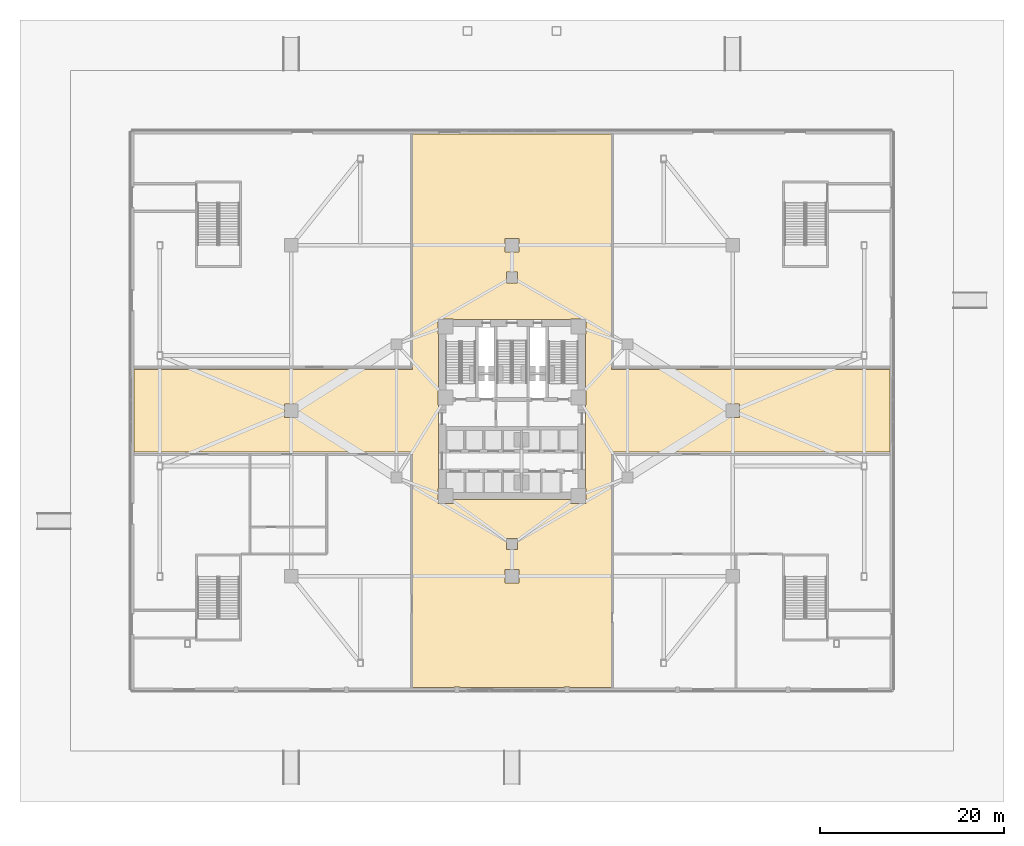
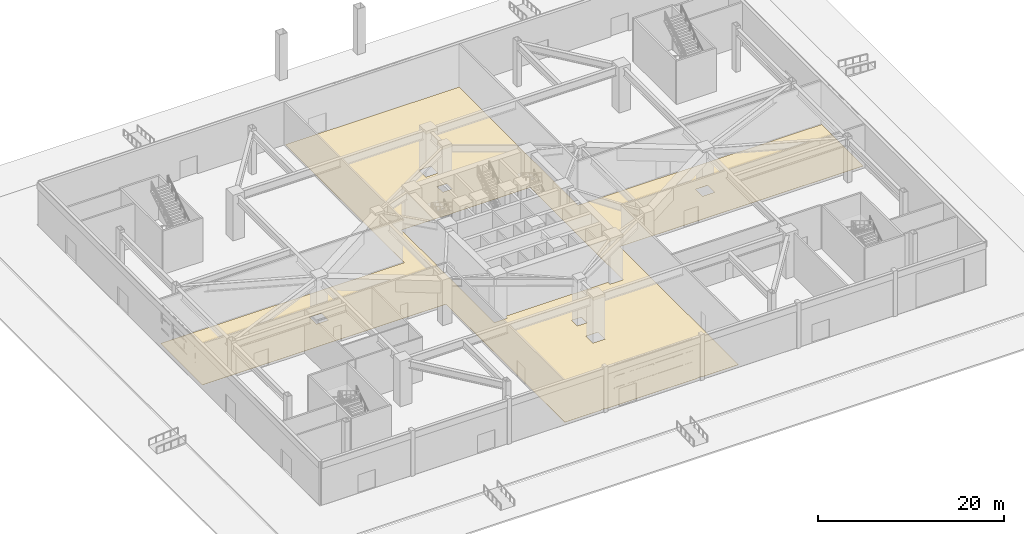
# One storey, part 19 of 24: 1 covering.
"""IFC4 building model written with IfcOpenShell, lengths in metres."""

import ifcopenshell
import ifcopenshell.guid

model = None  # the IFC model being written
_history = None  # IfcOwnerHistory: only IFC2X3 demands one
_inside = {}  # id of a spatial element -> (the spatial element, [elements in it])
_under = {}  # id of a project, library or spatial element -> (it, [spatial elements below it])
_declared = {}  # id of a project -> (the project, [libraries it declares])
_typed = {}  # id of a type object -> (the type object, [elements of that type])
_made_of = {}  # id of a material, layer set ... -> (it, [elements and type objects made of it])


def new_model(schema):
    """Start an empty IFC model of exactly this schema.

    Asked for "IFC4X3", IfcOpenShell would pick the latest addendum, in which some entities
    have other attributes; the version numbers below select the first issue.
    IFC2X3 requires an IfcOwnerHistory on every rooted entity: one is made here for all.
    """
    global model, _history
    if schema == "IFC4X3":
        model = ifcopenshell.file(schema_version=(4, 3, 0, 0))
    else:
        model = ifcopenshell.file(schema=schema)
    _inside.clear()
    _under.clear()
    _declared.clear()
    _typed.clear()
    _made_of.clear()
    _history = None
    if model.schema == "IFC2X3":
        org = make("IfcOrganization", Name="unknown")
        user = make(
            "IfcPersonAndOrganization",
            ThePerson=make("IfcPerson", FamilyName="unknown"),
            TheOrganization=org,
        )
        app = make(
            "IfcApplication",
            ApplicationDeveloper=org,
            Version="unknown",
            ApplicationFullName="unknown",
            ApplicationIdentifier="unknown",
        )
        _history = make(
            "IfcOwnerHistory",
            OwningUser=user,
            OwningApplication=app,
            ChangeAction="ADDED",
            CreationDate=0,
        )
    return model


def make(cls, **values):
    """One entity of the class cls with the attributes given. An attribute that is None is left unset."""
    return model.create_entity(
        cls, **{name: value for name, value in values.items() if value is not None}
    )


def rooted(cls, **values):
    """An entity with a GlobalId (a new one), such as an element, a storey or a relation."""
    return make(cls, GlobalId=ifcopenshell.guid.new(), OwnerHistory=_history, **values)


def si_unit(unit_type, name, prefix=None):
    """IfcSIUnit, for example si_unit("LENGTHUNIT", "METRE", prefix="MILLI")."""
    return make("IfcSIUnit", UnitType=unit_type, Prefix=prefix, Name=name)


def assignment(units):
    """IfcUnitAssignment: the units of a project."""
    return None if units is None else make("IfcUnitAssignment", Units=units)


def point(xyz):
    """IfcCartesianPoint."""
    return None if xyz is None else make("IfcCartesianPoint", Coordinates=xyz)


def direction(xyz):
    """IfcDirection."""
    return None if xyz is None else make("IfcDirection", DirectionRatios=xyz)


def frame(location, z_axis=None, x_axis=None):
    """IfcAxis2Placement3D, a coordinate frame: its origin and axes. An axis left out is left unset."""
    return make(
        "IfcAxis2Placement3D",
        Location=point(location),
        Axis=direction(z_axis),
        RefDirection=direction(x_axis),
    )


def origin():
    """The frame at (0, 0, 0) with its axes left unset."""
    return frame((0.0, 0.0, 0.0))


def place(relative_to, where):
    """IfcLocalPlacement: puts the frame where relative to a parent placement (None: the world)."""
    return make(
        "IfcLocalPlacement", PlacementRelTo=relative_to, RelativePlacement=where
    )


def context(
    kind, dimensions, precision=None, world=None, true_north=None, identifier=None
):
    """IfcGeometricRepresentationContext, for example the 3D "Model" context."""
    return make(
        "IfcGeometricRepresentationContext",
        ContextIdentifier=identifier,
        ContextType=kind,
        CoordinateSpaceDimension=dimensions,
        Precision=precision,
        WorldCoordinateSystem=world,
        TrueNorth=true_north,
    )


def subcontext(parent, identifier, kind, view, scale=None):
    """IfcGeometricRepresentationSubContext, for example "Body" below "Model"."""
    return make(
        "IfcGeometricRepresentationSubContext",
        ContextIdentifier=identifier,
        ContextType=kind,
        ParentContext=parent,
        TargetScale=scale,
        TargetView=view,
    )


def project(units=None, contexts=None):
    """IfcProject with its units and contexts."""
    return rooted(
        "IfcProject",
        Name="project",
        RepresentationContexts=contexts,
        UnitsInContext=assignment(units),
    )


def spatial(cls, under=None, at=None, **own):
    """A site, building, storey or space (cls), placed at a placement, below another one or the project."""
    s = rooted(cls, ObjectPlacement=at, **own)
    if under is not None:
        _under.setdefault(under.id(), (under, []))[1].append(s)
    return s


def polyline(points):
    """IfcPolyline through the points."""
    return make("IfcPolyline", Points=[point(p) for p in points])


def outline(outer, holes=None, kind="AREA"):
    """IfcArbitraryClosedProfileDef: a profile drawn as a closed curve; with holes, ...WithVoids."""
    if holes is None:
        return make("IfcArbitraryClosedProfileDef", ProfileType=kind, OuterCurve=outer)
    return make(
        "IfcArbitraryProfileDefWithVoids",
        ProfileType=kind,
        OuterCurve=outer,
        InnerCurves=holes,
    )


def extrude(swept, where, along, depth):
    """IfcExtrudedAreaSolid: the profile swept, set in the frame where, extruded along a direction by depth."""
    return make(
        "IfcExtrudedAreaSolid",
        SweptArea=swept,
        Position=where,
        ExtrudedDirection=direction(along),
        Depth=depth,
    )


def shape(context_of_items, identifier, shape_type, items):
    """IfcShapeRepresentation: the items that make up one representation, for example the "Body"."""
    return make(
        "IfcShapeRepresentation",
        ContextOfItems=context_of_items,
        RepresentationIdentifier=identifier,
        RepresentationType=shape_type,
        Items=items,
    )


def material(Name=None, Category=None):
    """IfcMaterial."""
    return make("IfcMaterial", Name=Name, Category=Category)


def layer(
    of_material, thickness, ventilated=None, Name=None, Category=None, Priority=None
):
    """IfcMaterialLayer: one layer of a wall or slab, of a material (None: an air gap)."""
    return make(
        "IfcMaterialLayer",
        Material=of_material,
        LayerThickness=thickness,
        IsVentilated=ventilated,
        Name=Name,
        Category=Category,
        Priority=Priority,
    )


def layer_set(layers, Name=None):
    """IfcMaterialLayerSet."""
    return make("IfcMaterialLayerSet", MaterialLayers=layers, LayerSetName=Name)


def made_of(thing, what):
    """Note that an element or type object is made of a material, layer set ...; save() writes the relation."""
    if what is not None:
        _made_of.setdefault(what.id(), (what, []))[1].append(thing)
    return thing


def type_object(cls, material=None, **own):
    """A type object (cls), such as IfcWallType, which elements share."""
    return made_of(rooted(cls, **own), material)


def element(
    cls,
    number,
    at=None,
    inside=None,
    cuts=None,
    type_object=None,
    material=None,
    context=None,
    identifier="Body",
    shape_type=None,
    held_by="IfcProductDefinitionShape",
    body=None,
    shapes=None,
    **own,
):
    """One element of the class cls, such as IfcWall. Its Tag is "e" and its number.

    at: its placement. inside: the storey or other place that contains it. cuts: it is an
    opening in that element (IfcRelVoidsElement). A single representation is given by context,
    identifier, shape_type and body (its items); several are given by shapes. held_by: the class
    of the entity that holds the representations. save() writes the other relations.
    """
    e = rooted(cls, Tag="e%d" % number, ObjectPlacement=at, **own)
    if body is not None:
        shapes = [shape(context, identifier, shape_type, body)]
    if shapes is not None:
        e.Representation = make(held_by, Representations=shapes)
    if inside is not None:
        _inside.setdefault(inside.id(), (inside, []))[1].append(e)
    if cuts is not None:
        rooted(
            "IfcRelVoidsElement", RelatingBuildingElement=cuts, RelatedOpeningElement=e
        )
    if type_object is not None:
        _typed.setdefault(type_object.id(), (type_object, []))[1].append(e)
    return made_of(e, material)


def aggregate(whole, parts):
    """IfcRelAggregates: a whole, such as a stair, and the parts it consists of."""
    return rooted("IfcRelAggregates", RelatingObject=whole, RelatedObjects=parts)


def save(model, path):
    """Write the relations noted so far, then the file.

    IfcRelAggregates (storeys below a building ...), IfcRelContainedInSpatialStructure (elements
    in a storey), IfcRelDefinesByType, IfcRelAssociatesMaterial and IfcRelDeclares: one each for
    every whole, place, type object, material and project.
    """
    for whole, parts in _under.values():
        aggregate(whole, parts)
    for where, things in _inside.values():
        rooted(
            "IfcRelContainedInSpatialStructure",
            RelatedElements=things,
            RelatingStructure=where,
        )
    for kind, things in _typed.values():
        rooted("IfcRelDefinesByType", RelatedObjects=things, RelatingType=kind)
    for what, things in _made_of.values():
        rooted("IfcRelAssociatesMaterial", RelatedObjects=things, RelatingMaterial=what)
    for by, libraries in _declared.values():
        rooted("IfcRelDeclares", RelatingContext=by, RelatedDefinitions=libraries)
    model.write(path)


model = new_model("IFC4")

# Units and contexts
model_context = context("Model", 3, precision=1e-05, world=origin(), true_north=direction((0.0, 1.0)))
body_context = subcontext(model_context, "Body", "Model", "MODEL_VIEW")
ifc_project = project(units=[si_unit("LENGTHUNIT", "METRE"), si_unit("AREAUNIT", "SQUARE_METRE"), si_unit("VOLUMEUNIT", "CUBIC_METRE"), si_unit("PLANEANGLEUNIT", "RADIAN"), si_unit("MASSUNIT", "GRAM", prefix="KILO")], contexts=[model_context])

# Site, building, storey
site_placement = place(None, origin())
site = spatial("IfcSite", under=ifc_project, at=site_placement, CompositionType="ELEMENT")
building_placement = place(site_placement, origin())
building = spatial("IfcBuilding", under=site, at=building_placement, Name="Apsidion Concourse Tower", CompositionType="ELEMENT")
storey_placement = place(building_placement, origin())
storey = spatial("IfcBuildingStorey", under=building, at=storey_placement, Name="L00", CompositionType="ELEMENT", Elevation=0.0)

# Covering
ifc_material = material(Name="Honed travertine floor finish", Category="masonry")
ifc_layer = layer(ifc_material, 0.02001953125)
ifc_layer_set = layer_set([ifc_layer], Name="Honed travertine floor finish")
covering_type = type_object("IfcCoveringType", Name="COV-FLOR-20", PredefinedType="FLOORING", material=ifc_layer_set)
covering_placement = place(storey_placement, origin())
element("IfcCovering", 1, at=covering_placement, inside=storey, type_object=covering_type, Name="L00 Honed Travertine Floor Finish 2", PredefinedType="FLOORING", context=body_context, shape_type="SweptSolid", body=[
    extrude(outline(polyline([(-10.800048828125, 4.5), (-10.800048828125, 30.10498046875), (10.800048828125, 30.10498046875), (10.800048828125, 4.5), (41.10498046875, 4.5), (41.10498046875, -4.5), (10.800048828125, -4.5), (10.800048828125, -30.10498046875), (6.320068359375, -30.10498046875), (6.320068359375, -30.050048828125), (6.31982421875, -30.048095703125), (6.319580078125, -30.046142578125), (6.319091796875, -30.044189453125), (6.318603515625, -30.042236328125), (6.317626953125, -30.04052734375), (6.316650390625, -30.038818359375), (6.3154296875, -30.037353515625), (6.314208984375, -30.035888671875), (6.312744140625, -30.034423828125), (6.31103515625, -30.033447265625), (6.309326171875, -30.032470703125), (6.3076171875, -30.031494140625), (6.305908203125, -30.031005859375), (6.303955078125, -30.030517578125), (6.302001953125, -30.030029296875), (6.300048828125, -30.030029296875), (5.699951171875, -30.030029296875), (5.697998046875, -30.030029296875), (5.696044921875, -30.030517578125), (5.694091796875, -30.031005859375), (5.6923828125, -30.031494140625), (5.690673828125, -30.032470703125), (5.68896484375, -30.033447265625), (5.687255859375, -30.034423828125), (5.685791015625, -30.035888671875), (5.6845703125, -30.037353515625), (5.683349609375, -30.038818359375), (5.682373046875, -30.04052734375), (5.681396484375, -30.042236328125), (5.680908203125, -30.044189453125), (5.680419921875, -30.046142578125), (5.68017578125, -30.048095703125), (5.679931640625, -30.050048828125), (5.679931640625, -30.10498046875), (-5.679931640625, -30.10498046875), (-5.679931640625, -30.050048828125), (-5.68017578125, -30.048095703125), (-5.680419921875, -30.046142578125), (-5.680908203125, -30.044189453125), (-5.681396484375, -30.042236328125), (-5.682373046875, -30.04052734375), (-5.683349609375, -30.038818359375), (-5.6845703125, -30.037353515625), (-5.685791015625, -30.035888671875), (-5.687255859375, -30.034423828125), (-5.68896484375, -30.033447265625), (-5.690673828125, -30.032470703125), (-5.6923828125, -30.031494140625), (-5.694091796875, -30.031005859375), (-5.696044921875, -30.030517578125), (-5.697998046875, -30.030029296875), (-5.699951171875, -30.030029296875), (-6.300048828125, -30.030029296875), (-6.302001953125, -30.030029296875), (-6.303955078125, -30.030517578125), (-6.305908203125, -30.031005859375), (-6.3076171875, -30.031494140625), (-6.309326171875, -30.032470703125), (-6.31103515625, -30.033447265625), (-6.312744140625, -30.034423828125), (-6.314208984375, -30.035888671875), (-6.3154296875, -30.037353515625), (-6.316650390625, -30.038818359375), (-6.317626953125, -30.04052734375), (-6.318603515625, -30.042236328125), (-6.319091796875, -30.044189453125), (-6.319580078125, -30.046142578125), (-6.31982421875, -30.048095703125), (-6.320068359375, -30.050048828125), (-6.320068359375, -30.10498046875), (-10.800048828125, -30.10498046875), (-10.800048828125, -4.5), (-41.10498046875, -4.5), (-41.10498046875, 4.5), (-10.800048828125, 4.5)]), holes=[polyline([(-8.0, -8.429931640625), (-8.001953125, -8.43017578125), (-8.00390625, -8.430419921875), (-8.005859375, -8.430908203125), (-8.0078125, -8.431396484375), (-8.009521484375, -8.432373046875), (-8.010986328125, -8.433349609375), (-8.0126953125, -8.4345703125), (-8.01416015625, -8.435791015625), (-8.015380859375, -8.437255859375), (-8.0166015625, -8.43896484375), (-8.017578125, -8.440673828125), (-8.0185546875, -8.4423828125), (-8.01904296875, -8.444091796875), (-8.01953125, -8.446044921875), (-8.02001953125, -8.447998046875), (-8.02001953125, -8.449951171875), (-8.02001953125, -10.050048828125), (-8.02001953125, -10.052001953125), (-8.01953125, -10.053955078125), (-8.01904296875, -10.055908203125), (-8.0185546875, -10.0576171875), (-8.017578125, -10.059326171875), (-8.0166015625, -10.06103515625), (-8.015380859375, -10.062744140625), (-8.01416015625, -10.064208984375), (-8.0126953125, -10.0654296875), (-8.010986328125, -10.066650390625), (-8.009521484375, -10.067626953125), (-8.0078125, -10.068603515625), (-8.005859375, -10.069091796875), (-8.00390625, -10.069580078125), (-8.001953125, -10.06982421875), (-8.0, -10.070068359375), (-6.39990234375, -10.070068359375), (-6.39794921875, -10.06982421875), (-6.39599609375, -10.069580078125), (-6.394287109375, -10.069091796875), (-6.392333984375, -10.068603515625), (-6.390625, -10.067626953125), (-6.388916015625, -10.066650390625), (-6.38720703125, -10.0654296875), (-6.385986328125, -10.064208984375), (-6.384521484375, -10.062744140625), (-6.38330078125, -10.06103515625), (-6.38232421875, -10.059326171875), (-6.381591796875, -10.0576171875), (-6.380859375, -10.055908203125), (-6.38037109375, -10.053955078125), (-6.380126953125, -10.052001953125), (-6.3798828125, -10.050048828125), (-6.3798828125, -9.64990234375), (6.3798828125, -9.64990234375), (6.3798828125, -10.050048828125), (6.380126953125, -10.052001953125), (6.38037109375, -10.053955078125), (6.380859375, -10.055908203125), (6.381591796875, -10.0576171875), (6.38232421875, -10.059326171875), (6.38330078125, -10.06103515625), (6.384521484375, -10.062744140625), (6.385986328125, -10.064208984375), (6.38720703125, -10.0654296875), (6.388916015625, -10.066650390625), (6.390625, -10.067626953125), (6.392333984375, -10.068603515625), (6.394287109375, -10.069091796875), (6.39599609375, -10.069580078125), (6.39794921875, -10.06982421875), (6.39990234375, -10.070068359375), (8.0, -10.070068359375), (8.001953125, -10.06982421875), (8.00390625, -10.069580078125), (8.005859375, -10.069091796875), (8.0078125, -10.068603515625), (8.009521484375, -10.067626953125), (8.010986328125, -10.066650390625), (8.0126953125, -10.0654296875), (8.01416015625, -10.064208984375), (8.015380859375, -10.062744140625), (8.0166015625, -10.06103515625), (8.017578125, -10.059326171875), (8.0185546875, -10.0576171875), (8.01904296875, -10.055908203125), (8.01953125, -10.053955078125), (8.02001953125, -10.052001953125), (8.02001953125, -10.050048828125), (8.02001953125, -8.449951171875), (8.02001953125, -8.447998046875), (8.01953125, -8.446044921875), (8.01904296875, -8.444091796875), (8.0185546875, -8.4423828125), (8.017578125, -8.440673828125), (8.0166015625, -8.43896484375), (8.015380859375, -8.437255859375), (8.01416015625, -8.435791015625), (8.0126953125, -8.4345703125), (8.010986328125, -8.433349609375), (8.009521484375, -8.432373046875), (8.0078125, -8.431396484375), (8.005859375, -8.430908203125), (8.00390625, -8.430419921875), (8.001953125, -8.43017578125), (8.0, -8.429931640625), (8.0, -4.5), (8.0, 0.6298828125), (8.001953125, 0.630126953125), (8.00390625, 0.63037109375), (8.005859375, 0.630859375), (8.0078125, 0.631591796875), (8.009521484375, 0.63232421875), (8.010986328125, 0.63330078125), (8.0126953125, 0.634521484375), (8.01416015625, 0.635986328125), (8.015380859375, 0.63720703125), (8.0166015625, 0.638916015625), (8.017578125, 0.640625), (8.0185546875, 0.642333984375), (8.01904296875, 0.644287109375), (8.01953125, 0.64599609375), (8.02001953125, 0.64794921875), (8.02001953125, 0.64990234375), (8.02001953125, 2.25), (8.02001953125, 2.251953125), (8.01953125, 2.25390625), (8.01904296875, 2.255859375), (8.0185546875, 2.2578125), (8.017578125, 2.259521484375), (8.0166015625, 2.260986328125), (8.015380859375, 2.2626953125), (8.01416015625, 2.26416015625), (8.0126953125, 2.265380859375), (8.010986328125, 2.2666015625), (8.009521484375, 2.267578125), (8.0078125, 2.2685546875), (8.005859375, 2.26904296875), (8.00390625, 2.26953125), (8.001953125, 2.27001953125), (8.0, 2.27001953125), (8.0, 4.5), (8.0, 8.330078125), (8.001953125, 8.330078125), (8.00390625, 8.330322265625), (8.005859375, 8.330810546875), (8.0078125, 8.33154296875), (8.009521484375, 8.33251953125), (8.010986328125, 8.33349609375), (8.0126953125, 8.33447265625), (8.01416015625, 8.3359375), (8.015380859375, 8.33740234375), (8.0166015625, 8.3388671875), (8.017578125, 8.340576171875), (8.0185546875, 8.34228515625), (8.01904296875, 8.34423828125), (8.01953125, 8.34619140625), (8.02001953125, 8.347900390625), (8.02001953125, 8.35009765625), (8.02001953125, 9.949951171875), (8.02001953125, 9.951904296875), (8.01953125, 9.953857421875), (8.01904296875, 9.955810546875), (8.0185546875, 9.957763671875), (8.017578125, 9.95947265625), (8.0166015625, 9.961181640625), (8.015380859375, 9.962646484375), (8.01416015625, 9.964111328125), (8.0126953125, 9.965576171875), (8.010986328125, 9.966552734375), (8.009521484375, 9.967529296875), (8.0078125, 9.968505859375), (8.005859375, 9.968994140625), (8.00390625, 9.969482421875), (8.001953125, 9.969970703125), (8.0, 9.969970703125), (6.39990234375, 9.969970703125), (6.39794921875, 9.969970703125), (6.39599609375, 9.969482421875), (6.394287109375, 9.968994140625), (6.392333984375, 9.968505859375), (6.390625, 9.967529296875), (6.388916015625, 9.966552734375), (6.38720703125, 9.965576171875), (6.385986328125, 9.964111328125), (6.384521484375, 9.962646484375), (6.38330078125, 9.961181640625), (6.38232421875, 9.95947265625), (6.381591796875, 9.957763671875), (6.380859375, 9.955810546875), (6.38037109375, 9.953857421875), (6.380126953125, 9.951904296875), (6.3798828125, 9.949951171875), (6.3798828125, 9.949951171875), (-6.3798828125, 9.949951171875), (-6.3798828125, 9.949951171875), (-6.380126953125, 9.951904296875), (-6.38037109375, 9.953857421875), (-6.380859375, 9.955810546875), (-6.381591796875, 9.957763671875), (-6.38232421875, 9.95947265625), (-6.38330078125, 9.961181640625), (-6.384521484375, 9.962646484375), (-6.385986328125, 9.964111328125), (-6.38720703125, 9.965576171875), (-6.388916015625, 9.966552734375), (-6.390625, 9.967529296875), (-6.392333984375, 9.968505859375), (-6.394287109375, 9.968994140625), (-6.39599609375, 9.969482421875), (-6.39794921875, 9.969970703125), (-6.39990234375, 9.969970703125), (-8.0, 9.969970703125), (-8.001953125, 9.969970703125), (-8.00390625, 9.969482421875), (-8.005859375, 9.968994140625), (-8.0078125, 9.968505859375), (-8.009521484375, 9.967529296875), (-8.010986328125, 9.966552734375), (-8.0126953125, 9.965576171875), (-8.01416015625, 9.964111328125), (-8.015380859375, 9.962646484375), (-8.0166015625, 9.961181640625), (-8.017578125, 9.95947265625), (-8.0185546875, 9.957763671875), (-8.01904296875, 9.955810546875), (-8.01953125, 9.953857421875), (-8.02001953125, 9.951904296875), (-8.02001953125, 9.949951171875), (-8.02001953125, 8.35009765625), (-8.02001953125, 8.347900390625), (-8.01953125, 8.34619140625), (-8.01904296875, 8.34423828125), (-8.0185546875, 8.34228515625), (-8.017578125, 8.340576171875), (-8.0166015625, 8.3388671875), (-8.015380859375, 8.33740234375), (-8.01416015625, 8.3359375), (-8.0126953125, 8.33447265625), (-8.010986328125, 8.33349609375), (-8.009521484375, 8.33251953125), (-8.0078125, 8.33154296875), (-8.005859375, 8.330810546875), (-8.00390625, 8.330322265625), (-8.001953125, 8.330078125), (-8.0, 8.330078125), (-8.0, 4.5), (-8.0, 2.27001953125), (-8.001953125, 2.27001953125), (-8.00390625, 2.26953125), (-8.005859375, 2.26904296875), (-8.0078125, 2.2685546875), (-8.009521484375, 2.267578125), (-8.010986328125, 2.2666015625), (-8.0126953125, 2.265380859375), (-8.01416015625, 2.26416015625), (-8.015380859375, 2.2626953125), (-8.0166015625, 2.260986328125), (-8.017578125, 2.259521484375), (-8.0185546875, 2.2578125), (-8.01904296875, 2.255859375), (-8.01953125, 2.25390625), (-8.02001953125, 2.251953125), (-8.02001953125, 2.25), (-8.02001953125, 0.64990234375), (-8.02001953125, 0.64794921875), (-8.01953125, 0.64599609375), (-8.01904296875, 0.644287109375), (-8.0185546875, 0.642333984375), (-8.017578125, 0.640625), (-8.0166015625, 0.638916015625), (-8.015380859375, 0.63720703125), (-8.01416015625, 0.635986328125), (-8.0126953125, 0.634521484375), (-8.010986328125, 0.63330078125), (-8.009521484375, 0.63232421875), (-8.0078125, 0.631591796875), (-8.005859375, 0.630859375), (-8.00390625, 0.63037109375), (-8.001953125, 0.630126953125), (-8.0, 0.6298828125), (-8.0, -4.5), (-8.0, -8.429931640625)]), polyline([(-24.730712890625, -0.744140625), (-24.72900390625, -0.74462890625), (-24.72705078125, -0.744873046875), (-24.72509765625, -0.7451171875), (-23.27490234375, -0.7451171875), (-23.27294921875, -0.744873046875), (-23.27099609375, -0.74462890625), (-23.269287109375, -0.744140625), (-23.267333984375, -0.743408203125), (-23.265625, -0.74267578125), (-23.263916015625, -0.74169921875), (-23.26220703125, -0.740478515625), (-23.260986328125, -0.739013671875), (-23.259521484375, -0.73779296875), (-23.25830078125, -0.736083984375), (-23.25732421875, -0.734375), (-23.256591796875, -0.732666015625), (-23.255859375, -0.730712890625), (-23.25537109375, -0.72900390625), (-23.255126953125, -0.72705078125), (-23.2548828125, -0.72509765625), (-23.2548828125, 0.72509765625), (-23.255126953125, 0.72705078125), (-23.25537109375, 0.72900390625), (-23.255859375, 0.730712890625), (-23.256591796875, 0.732666015625), (-23.25732421875, 0.734375), (-23.25830078125, 0.736083984375), (-23.259521484375, 0.73779296875), (-23.260986328125, 0.739013671875), (-23.26220703125, 0.740478515625), (-23.263916015625, 0.74169921875), (-23.265625, 0.74267578125), (-23.267333984375, 0.743408203125), (-23.269287109375, 0.744140625), (-23.27099609375, 0.74462890625), (-23.27294921875, 0.744873046875), (-23.27490234375, 0.7451171875), (-24.72509765625, 0.7451171875), (-24.72705078125, 0.744873046875), (-24.72900390625, 0.74462890625), (-24.730712890625, 0.744140625), (-24.732666015625, 0.743408203125), (-24.734375, 0.74267578125), (-24.736083984375, 0.74169921875), (-24.73779296875, 0.740478515625), (-24.739013671875, 0.739013671875), (-24.740478515625, 0.73779296875), (-24.74169921875, 0.736083984375), (-24.74267578125, 0.734375), (-24.743408203125, 0.732666015625), (-24.744140625, 0.730712890625), (-24.74462890625, 0.72900390625), (-24.744873046875, 0.72705078125), (-24.7451171875, 0.72509765625), (-24.7451171875, -0.72509765625), (-24.744873046875, -0.72705078125), (-24.74462890625, -0.72900390625), (-24.744140625, -0.730712890625), (-24.743408203125, -0.732666015625), (-24.74267578125, -0.734375), (-24.74169921875, -0.736083984375), (-24.740478515625, -0.73779296875), (-24.739013671875, -0.739013671875), (-24.73779296875, -0.740478515625), (-24.736083984375, -0.74169921875), (-24.734375, -0.74267578125), (-24.732666015625, -0.743408203125), (-24.730712890625, -0.744140625)]), polyline([(-0.730712890625, -18.744140625), (-0.72900390625, -18.74462890625), (-0.72705078125, -18.744873046875), (-0.72509765625, -18.7451171875), (0.72509765625, -18.7451171875), (0.72705078125, -18.744873046875), (0.72900390625, -18.74462890625), (0.730712890625, -18.744140625), (0.732666015625, -18.743408203125), (0.734375, -18.74267578125), (0.736083984375, -18.74169921875), (0.73779296875, -18.740478515625), (0.739013671875, -18.739013671875), (0.740478515625, -18.73779296875), (0.74169921875, -18.736083984375), (0.74267578125, -18.734375), (0.743408203125, -18.732666015625), (0.744140625, -18.730712890625), (0.74462890625, -18.72900390625), (0.744873046875, -18.72705078125), (0.7451171875, -18.72509765625), (0.7451171875, -17.27490234375), (0.744873046875, -17.27294921875), (0.74462890625, -17.27099609375), (0.744140625, -17.269287109375), (0.743408203125, -17.267333984375), (0.74267578125, -17.265625), (0.74169921875, -17.263916015625), (0.740478515625, -17.26220703125), (0.739013671875, -17.260986328125), (0.73779296875, -17.259521484375), (0.736083984375, -17.25830078125), (0.734375, -17.25732421875), (0.732666015625, -17.256591796875), (0.730712890625, -17.255859375), (0.72900390625, -17.25537109375), (0.72705078125, -17.255126953125), (0.72509765625, -17.2548828125), (-0.72509765625, -17.2548828125), (-0.72705078125, -17.255126953125), (-0.72900390625, -17.25537109375), (-0.730712890625, -17.255859375), (-0.732666015625, -17.256591796875), (-0.734375, -17.25732421875), (-0.736083984375, -17.25830078125), (-0.73779296875, -17.259521484375), (-0.739013671875, -17.260986328125), (-0.740478515625, -17.26220703125), (-0.74169921875, -17.263916015625), (-0.74267578125, -17.265625), (-0.743408203125, -17.267333984375), (-0.744140625, -17.269287109375), (-0.74462890625, -17.27099609375), (-0.744873046875, -17.27294921875), (-0.7451171875, -17.27490234375), (-0.7451171875, -18.72509765625), (-0.744873046875, -18.72705078125), (-0.74462890625, -18.72900390625), (-0.744140625, -18.730712890625), (-0.743408203125, -18.732666015625), (-0.74267578125, -18.734375), (-0.74169921875, -18.736083984375), (-0.740478515625, -18.73779296875), (-0.739013671875, -18.739013671875), (-0.73779296875, -18.740478515625), (-0.736083984375, -18.74169921875), (-0.734375, -18.74267578125), (-0.732666015625, -18.743408203125), (-0.730712890625, -18.744140625)]), polyline([(-0.582763671875, -15.093505859375), (-0.580810546875, -15.093994140625), (-0.578857421875, -15.094482421875), (-0.576904296875, -15.094970703125), (-0.574951171875, -15.094970703125), (0.574951171875, -15.094970703125), (0.576904296875, -15.094970703125), (0.578857421875, -15.094482421875), (0.580810546875, -15.093994140625), (0.582763671875, -15.093505859375), (0.58447265625, -15.092529296875), (0.586181640625, -15.091552734375), (0.587646484375, -15.090576171875), (0.589111328125, -15.089111328125), (0.590576171875, -15.087646484375), (0.591552734375, -15.086181640625), (0.592529296875, -15.08447265625), (0.593505859375, -15.082763671875), (0.593994140625, -15.080810546875), (0.594482421875, -15.078857421875), (0.594970703125, -15.076904296875), (0.594970703125, -15.074951171875), (0.594970703125, -13.925048828125), (0.594970703125, -13.923095703125), (0.594482421875, -13.921142578125), (0.593994140625, -13.919189453125), (0.593505859375, -13.917236328125), (0.592529296875, -13.91552734375), (0.591552734375, -13.913818359375), (0.590576171875, -13.912353515625), (0.589111328125, -13.910888671875), (0.587646484375, -13.909423828125), (0.586181640625, -13.908447265625), (0.58447265625, -13.907470703125), (0.582763671875, -13.906494140625), (0.580810546875, -13.906005859375), (0.578857421875, -13.905517578125), (0.576904296875, -13.905029296875), (0.574951171875, -13.905029296875), (-0.574951171875, -13.905029296875), (-0.576904296875, -13.905029296875), (-0.578857421875, -13.905517578125), (-0.580810546875, -13.906005859375), (-0.582763671875, -13.906494140625), (-0.58447265625, -13.907470703125), (-0.586181640625, -13.908447265625), (-0.587646484375, -13.909423828125), (-0.589111328125, -13.910888671875), (-0.590576171875, -13.912353515625), (-0.591552734375, -13.913818359375), (-0.592529296875, -13.91552734375), (-0.593505859375, -13.917236328125), (-0.593994140625, -13.919189453125), (-0.594482421875, -13.921142578125), (-0.594970703125, -13.923095703125), (-0.594970703125, -13.925048828125), (-0.594970703125, -15.074951171875), (-0.594970703125, -15.076904296875), (-0.594482421875, -15.078857421875), (-0.593994140625, -15.080810546875), (-0.593505859375, -15.082763671875), (-0.592529296875, -15.08447265625), (-0.591552734375, -15.086181640625), (-0.590576171875, -15.087646484375), (-0.589111328125, -15.089111328125), (-0.587646484375, -15.090576171875), (-0.586181640625, -15.091552734375), (-0.58447265625, -15.092529296875), (-0.582763671875, -15.093505859375)]), polyline([(-0.582763671875, 13.906494140625), (-0.580810546875, 13.906005859375), (-0.578857421875, 13.905517578125), (-0.576904296875, 13.905029296875), (-0.574951171875, 13.905029296875), (0.574951171875, 13.905029296875), (0.576904296875, 13.905029296875), (0.578857421875, 13.905517578125), (0.580810546875, 13.906005859375), (0.582763671875, 13.906494140625), (0.58447265625, 13.907470703125), (0.586181640625, 13.908447265625), (0.587646484375, 13.909423828125), (0.589111328125, 13.910888671875), (0.590576171875, 13.912353515625), (0.591552734375, 13.913818359375), (0.592529296875, 13.91552734375), (0.593505859375, 13.917236328125), (0.593994140625, 13.919189453125), (0.594482421875, 13.921142578125), (0.594970703125, 13.923095703125), (0.594970703125, 13.925048828125), (0.594970703125, 15.074951171875), (0.594970703125, 15.076904296875), (0.594482421875, 15.078857421875), (0.593994140625, 15.080810546875), (0.593505859375, 15.082763671875), (0.592529296875, 15.08447265625), (0.591552734375, 15.086181640625), (0.590576171875, 15.087646484375), (0.589111328125, 15.089111328125), (0.587646484375, 15.090576171875), (0.586181640625, 15.091552734375), (0.58447265625, 15.092529296875), (0.582763671875, 15.093505859375), (0.580810546875, 15.093994140625), (0.578857421875, 15.094482421875), (0.576904296875, 15.094970703125), (0.574951171875, 15.094970703125), (-0.574951171875, 15.094970703125), (-0.576904296875, 15.094970703125), (-0.578857421875, 15.094482421875), (-0.580810546875, 15.093994140625), (-0.582763671875, 15.093505859375), (-0.58447265625, 15.092529296875), (-0.586181640625, 15.091552734375), (-0.587646484375, 15.090576171875), (-0.589111328125, 15.089111328125), (-0.590576171875, 15.087646484375), (-0.591552734375, 15.086181640625), (-0.592529296875, 15.08447265625), (-0.593505859375, 15.082763671875), (-0.593994140625, 15.080810546875), (-0.594482421875, 15.078857421875), (-0.594970703125, 15.076904296875), (-0.594970703125, 15.074951171875), (-0.594970703125, 13.925048828125), (-0.594970703125, 13.923095703125), (-0.594482421875, 13.921142578125), (-0.593994140625, 13.919189453125), (-0.593505859375, 13.917236328125), (-0.592529296875, 13.91552734375), (-0.591552734375, 13.913818359375), (-0.590576171875, 13.912353515625), (-0.589111328125, 13.910888671875), (-0.587646484375, 13.909423828125), (-0.586181640625, 13.908447265625), (-0.58447265625, 13.907470703125), (-0.582763671875, 13.906494140625)]), polyline([(-0.732666015625, 17.256591796875), (-0.730712890625, 17.255859375), (-0.72900390625, 17.25537109375), (-0.72705078125, 17.255126953125), (-0.72509765625, 17.2548828125), (0.72509765625, 17.2548828125), (0.72705078125, 17.255126953125), (0.72900390625, 17.25537109375), (0.730712890625, 17.255859375), (0.732666015625, 17.256591796875), (0.734375, 17.25732421875), (0.736083984375, 17.25830078125), (0.73779296875, 17.259521484375), (0.739013671875, 17.260986328125), (0.740478515625, 17.26220703125), (0.74169921875, 17.263916015625), (0.74267578125, 17.265625), (0.743408203125, 17.267333984375), (0.744140625, 17.269287109375), (0.74462890625, 17.27099609375), (0.744873046875, 17.27294921875), (0.7451171875, 17.27490234375), (0.7451171875, 18.72509765625), (0.744873046875, 18.72705078125), (0.74462890625, 18.72900390625), (0.744140625, 18.730712890625), (0.743408203125, 18.732666015625), (0.74267578125, 18.734375), (0.74169921875, 18.736083984375), (0.740478515625, 18.73779296875), (0.739013671875, 18.739013671875), (0.73779296875, 18.740478515625), (0.736083984375, 18.74169921875), (0.734375, 18.74267578125), (0.732666015625, 18.743408203125), (0.730712890625, 18.744140625), (0.72900390625, 18.74462890625), (0.72705078125, 18.744873046875), (0.72509765625, 18.7451171875), (-0.72509765625, 18.7451171875), (-0.72705078125, 18.744873046875), (-0.72900390625, 18.74462890625), (-0.730712890625, 18.744140625), (-0.732666015625, 18.743408203125), (-0.734375, 18.74267578125), (-0.736083984375, 18.74169921875), (-0.73779296875, 18.740478515625), (-0.739013671875, 18.739013671875), (-0.740478515625, 18.73779296875), (-0.74169921875, 18.736083984375), (-0.74267578125, 18.734375), (-0.743408203125, 18.732666015625), (-0.744140625, 18.730712890625), (-0.74462890625, 18.72900390625), (-0.744873046875, 18.72705078125), (-0.7451171875, 18.72509765625), (-0.7451171875, 17.27490234375), (-0.744873046875, 17.27294921875), (-0.74462890625, 17.27099609375), (-0.744140625, 17.269287109375), (-0.743408203125, 17.267333984375), (-0.74267578125, 17.265625), (-0.74169921875, 17.263916015625), (-0.740478515625, 17.26220703125), (-0.739013671875, 17.260986328125), (-0.73779296875, 17.259521484375), (-0.736083984375, 17.25830078125), (-0.734375, 17.25732421875), (-0.732666015625, 17.256591796875)]), polyline([(23.267333984375, -0.743408203125), (23.269287109375, -0.744140625), (23.27099609375, -0.74462890625), (23.27294921875, -0.744873046875), (23.27490234375, -0.7451171875), (24.72509765625, -0.7451171875), (24.72705078125, -0.744873046875), (24.72900390625, -0.74462890625), (24.730712890625, -0.744140625), (24.732666015625, -0.743408203125), (24.734375, -0.74267578125), (24.736083984375, -0.74169921875), (24.73779296875, -0.740478515625), (24.739013671875, -0.739013671875), (24.740478515625, -0.73779296875), (24.74169921875, -0.736083984375), (24.74267578125, -0.734375), (24.743408203125, -0.732666015625), (24.744140625, -0.730712890625), (24.74462890625, -0.72900390625), (24.744873046875, -0.72705078125), (24.7451171875, -0.72509765625), (24.7451171875, 0.72509765625), (24.744873046875, 0.72705078125), (24.74462890625, 0.72900390625), (24.744140625, 0.730712890625), (24.743408203125, 0.732666015625), (24.74267578125, 0.734375), (24.74169921875, 0.736083984375), (24.740478515625, 0.73779296875), (24.739013671875, 0.739013671875), (24.73779296875, 0.740478515625), (24.736083984375, 0.74169921875), (24.734375, 0.74267578125), (24.732666015625, 0.743408203125), (24.730712890625, 0.744140625), (24.72900390625, 0.74462890625), (24.72705078125, 0.744873046875), (24.72509765625, 0.7451171875), (23.27490234375, 0.7451171875), (23.27294921875, 0.744873046875), (23.27099609375, 0.74462890625), (23.269287109375, 0.744140625), (23.267333984375, 0.743408203125), (23.265625, 0.74267578125), (23.263916015625, 0.74169921875), (23.26220703125, 0.740478515625), (23.260986328125, 0.739013671875), (23.259521484375, 0.73779296875), (23.25830078125, 0.736083984375), (23.25732421875, 0.734375), (23.256591796875, 0.732666015625), (23.255859375, 0.730712890625), (23.25537109375, 0.72900390625), (23.255126953125, 0.72705078125), (23.2548828125, 0.72509765625), (23.2548828125, -0.72509765625), (23.255126953125, -0.72705078125), (23.25537109375, -0.72900390625), (23.255859375, -0.730712890625), (23.256591796875, -0.732666015625), (23.25732421875, -0.734375), (23.25830078125, -0.736083984375), (23.259521484375, -0.73779296875), (23.260986328125, -0.739013671875), (23.26220703125, -0.740478515625), (23.263916015625, -0.74169921875), (23.265625, -0.74267578125), (23.267333984375, -0.743408203125)])]), origin(), (0.0, 0.0, 1.0), 0.02001953125),
])

save(model, "model.ifc")
